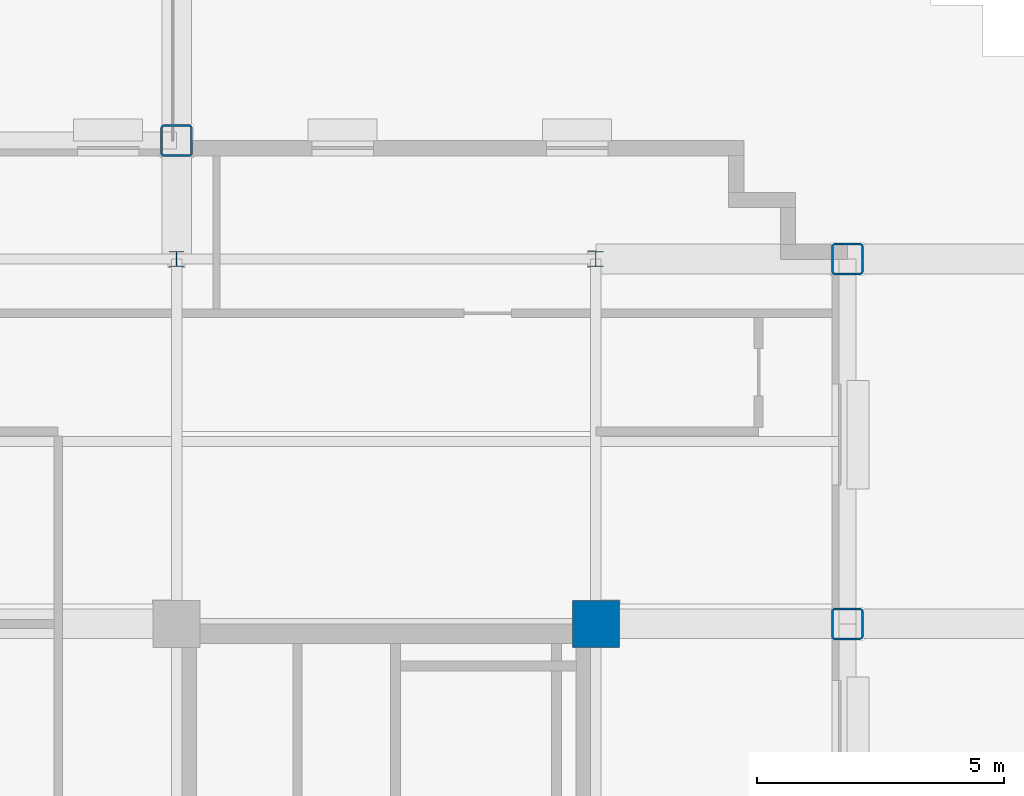
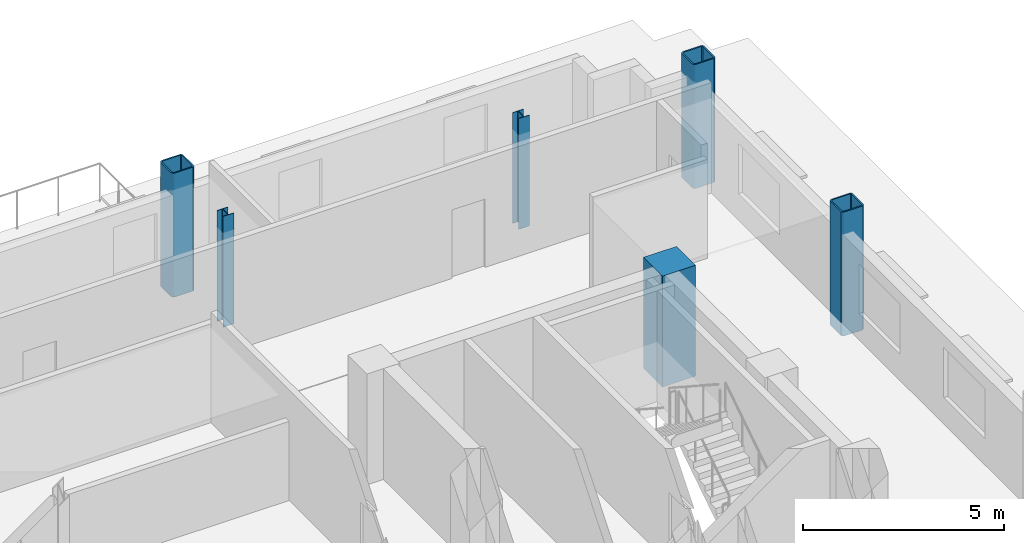
# One storey, part 4 of 17: 6 columns.
"""IFC4 building model written with IfcOpenShell, lengths in metres."""

from ifc_helpers import new_model, si_unit, direction, frame, origin, origin_2d, place, context, subcontext, project, spatial, rectangle, hollow_rectangle, i_section, extrude, material, material_profile, profile_set, type_object, element, save


model = new_model("IFC4")

# Units and contexts
model_context = context("Model", 3, precision=1e-05, world=origin(), true_north=direction((0.0, 1.0)))
body_context = subcontext(model_context, "Body", "Model", "MODEL_VIEW")
ifc_project = project(units=[si_unit("LENGTHUNIT", "METRE"), si_unit("AREAUNIT", "SQUARE_METRE"), si_unit("VOLUMEUNIT", "CUBIC_METRE"), si_unit("PLANEANGLEUNIT", "RADIAN"), si_unit("MASSUNIT", "GRAM", prefix="KILO")], contexts=[model_context])

# Site, building, storey
site_placement = place(None, origin())
site = spatial("IfcSite", under=ifc_project, at=site_placement, CompositionType="ELEMENT")
building_placement = place(site_placement, origin())
building = spatial("IfcBuilding", under=site, at=building_placement, Name="Nuvemarco Arch Tower", CompositionType="ELEMENT")
storey_placement = place(building_placement, frame((0.0, 0.0, 167.64990234375)))
storey = spatial("IfcBuildingStorey", under=building, at=storey_placement, Name="L44", CompositionType="ELEMENT", Elevation=167.64990234375)

# Columns
ifc_material_1 = material(Name="Concrete C50/60", Category="concrete")
ifc_material_profile_1 = material_profile(ifc_material_1, rectangle(XDim=0.949951171875, YDim=0.949951171875, at=origin_2d()), Name="RC-COL-950x950")
ifc_profile_set_1 = profile_set([ifc_material_profile_1], Name="Concrete C50/60")
column_type_1 = type_object("IfcColumnType", Name="COL-CORE-950", PredefinedType="COLUMN", material=ifc_profile_set_1)
column_placement = place(storey_placement, frame((17.5, 9.60009765625, 0.0), z_axis=(0.0, 0.0, 1.0), x_axis=(1.0, 0.0, 0.0)))
element("IfcColumn", 1, at=column_placement, inside=storey, type_object=column_type_1, Name="L44 column CC_+17.5_+9.6", PredefinedType="COLUMN", context=body_context, shape_type="SweptSolid", body=[
    extrude(rectangle(XDim=0.949951171875, YDim=0.949951171875, at=origin_2d()), origin(), (0.0, 0.0, 1.0), 3.3701171875),
])
ifc_material_2 = material(Name="Steel S355", Category="steel")
ifc_material_profile_2 = material_profile(ifc_material_2, hollow_rectangle(XDim=0.64990234375, YDim=0.64990234375, WallThickness=0.0400390625, InnerFilletRadius=0.0400390625, OuterFilletRadius=0.080078125, at=origin_2d()), Name="SHS650x650x40")
ifc_profile_set_2 = profile_set([ifc_material_profile_2], Name="Steel S355")
column_type_2 = type_object("IfcColumnType", Name="COL-EXO-650", PredefinedType="COLUMN", material=ifc_profile_set_2)
for number, where, z_axis, x_axis, name in (
    (2, (22.60009765625, 9.60009765625, -0.39990234375), (0.0, 0.0, 1.0), (1.0, 0.0, 0.0), "L44 column CX_+22.6_+9.6"),
    (3, (22.60009765625, 17.0, -0.39990234375), (0.0, 0.0, 1.0), (1.0, 0.0, 0.0), "L44 column CX_+22.6_+17.0"),
    (4, (9.0, 19.39990234375, -0.39990234375), (0.0, 0.0, 1.0), (1.0, 0.0, 0.0), "L44 column CY_+9.0_+19.4"),
):
    element("IfcColumn", number, at=place(storey_placement, frame(where, z_axis=z_axis, x_axis=x_axis)), inside=storey, type_object=column_type_2, Name=name, PredefinedType="COLUMN", context=body_context, shape_type="SweptSolid", body=[
        extrude(hollow_rectangle(XDim=0.64990234375, YDim=0.64990234375, WallThickness=0.0400390625, InnerFilletRadius=0.0400390625, OuterFilletRadius=0.080078125, at=origin_2d()), origin(), (0.0, 0.0, 1.0), 3.77001953125),
    ])
ifc_material_profile_3 = material_profile(ifc_material_2, i_section(OverallWidth=0.31005859375, OverallDepth=0.31005859375, WebThickness=0.015380859375, FlangeThickness=0.015380859375, FilletRadius=0.014892578125, at=origin_2d()), Name="HP310x110")
ifc_profile_set_3 = profile_set([ifc_material_profile_3], Name="Steel S355")
column_type_3 = type_object("IfcColumnType", Name="COL-STL-HP310", PredefinedType="COLUMN", material=ifc_profile_set_3)
for number, where, z_axis, x_axis, name in (
    (5, (9.0, 17.0, 0.0), (0.0, 0.0, 1.0), (1.0, 0.0, 0.0), "L44 column CI_+9.0_+17.0"),
    (6, (17.5, 17.0, 0.0), (0.0, 0.0, 1.0), (1.0, 0.0, 0.0), "L44 column CI_+17.5_+17.0"),
):
    element("IfcColumn", number, at=place(storey_placement, frame(where, z_axis=z_axis, x_axis=x_axis)), inside=storey, type_object=column_type_3, Name=name, PredefinedType="COLUMN", context=body_context, shape_type="SweptSolid", body=[
        extrude(i_section(OverallWidth=0.31005859375, OverallDepth=0.31005859375, WebThickness=0.015380859375, FlangeThickness=0.015380859375, FilletRadius=0.014892578125, at=origin_2d()), origin(), (0.0, 0.0, 1.0), 3.3701171875),
    ])

save(model, "model.ifc")
